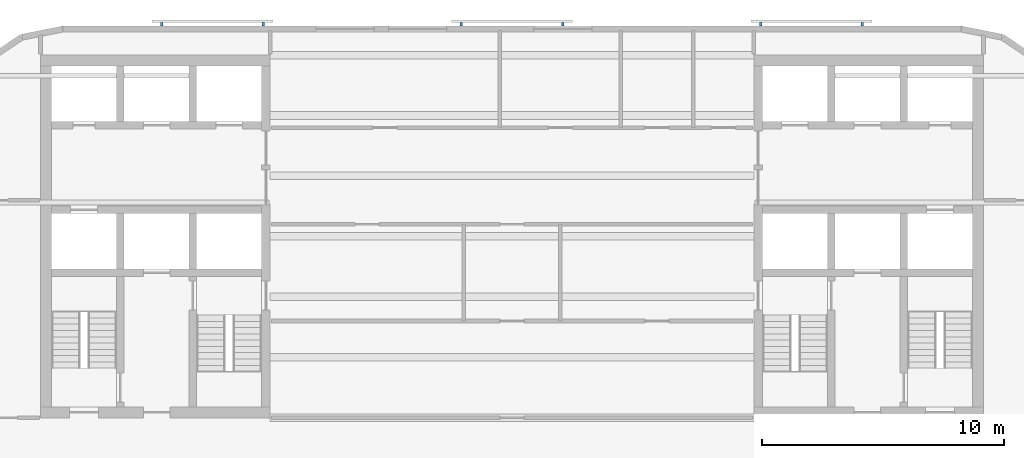
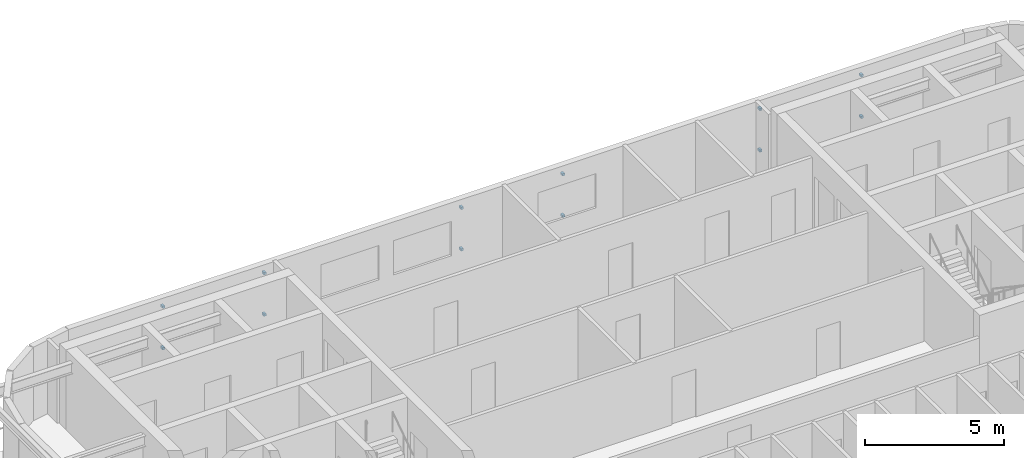
# One storey, part 8 of 11: 12 discrete accessories.
"""IFC4 building model written with IfcOpenShell, lengths in metres."""

import ifcopenshell
import ifcopenshell.guid

model = None  # the IFC model being written
_history = None  # IfcOwnerHistory: only IFC2X3 demands one
_inside = {}  # id of a spatial element -> (the spatial element, [elements in it])
_under = {}  # id of a project, library or spatial element -> (it, [spatial elements below it])
_declared = {}  # id of a project -> (the project, [libraries it declares])
_typed = {}  # id of a type object -> (the type object, [elements of that type])
_made_of = {}  # id of a material, layer set ... -> (it, [elements and type objects made of it])


def new_model(schema):
    """Start an empty IFC model of exactly this schema.

    Asked for "IFC4X3", IfcOpenShell would pick the latest addendum, in which some entities
    have other attributes; the version numbers below select the first issue.
    IFC2X3 requires an IfcOwnerHistory on every rooted entity: one is made here for all.
    """
    global model, _history
    if schema == "IFC4X3":
        model = ifcopenshell.file(schema_version=(4, 3, 0, 0))
    else:
        model = ifcopenshell.file(schema=schema)
    _inside.clear()
    _under.clear()
    _declared.clear()
    _typed.clear()
    _made_of.clear()
    _history = None
    if model.schema == "IFC2X3":
        org = make("IfcOrganization", Name="unknown")
        user = make(
            "IfcPersonAndOrganization",
            ThePerson=make("IfcPerson", FamilyName="unknown"),
            TheOrganization=org,
        )
        app = make(
            "IfcApplication",
            ApplicationDeveloper=org,
            Version="unknown",
            ApplicationFullName="unknown",
            ApplicationIdentifier="unknown",
        )
        _history = make(
            "IfcOwnerHistory",
            OwningUser=user,
            OwningApplication=app,
            ChangeAction="ADDED",
            CreationDate=0,
        )
    return model


def make(cls, **values):
    """One entity of the class cls with the attributes given. An attribute that is None is left unset."""
    return model.create_entity(
        cls, **{name: value for name, value in values.items() if value is not None}
    )


def rooted(cls, **values):
    """An entity with a GlobalId (a new one), such as an element, a storey or a relation."""
    return make(cls, GlobalId=ifcopenshell.guid.new(), OwnerHistory=_history, **values)


def si_unit(unit_type, name, prefix=None):
    """IfcSIUnit, for example si_unit("LENGTHUNIT", "METRE", prefix="MILLI")."""
    return make("IfcSIUnit", UnitType=unit_type, Prefix=prefix, Name=name)


def assignment(units):
    """IfcUnitAssignment: the units of a project."""
    return None if units is None else make("IfcUnitAssignment", Units=units)


def point(xyz):
    """IfcCartesianPoint."""
    return None if xyz is None else make("IfcCartesianPoint", Coordinates=xyz)


def direction(xyz):
    """IfcDirection."""
    return None if xyz is None else make("IfcDirection", DirectionRatios=xyz)


def frame(location, z_axis=None, x_axis=None):
    """IfcAxis2Placement3D, a coordinate frame: its origin and axes. An axis left out is left unset."""
    return make(
        "IfcAxis2Placement3D",
        Location=point(location),
        Axis=direction(z_axis),
        RefDirection=direction(x_axis),
    )


def frame_2d(location, x_axis=None):
    """IfcAxis2Placement2D, a coordinate frame in the plane: its origin and x axis."""
    return make(
        "IfcAxis2Placement2D", Location=point(location), RefDirection=direction(x_axis)
    )


def origin():
    """The frame at (0, 0, 0) with its axes left unset."""
    return frame((0.0, 0.0, 0.0))


def origin_2d():
    """The frame at (0, 0) in the plane with its x axis left unset."""
    return frame_2d((0.0, 0.0))


def place(relative_to, where):
    """IfcLocalPlacement: puts the frame where relative to a parent placement (None: the world)."""
    return make(
        "IfcLocalPlacement", PlacementRelTo=relative_to, RelativePlacement=where
    )


def context(
    kind, dimensions, precision=None, world=None, true_north=None, identifier=None
):
    """IfcGeometricRepresentationContext, for example the 3D "Model" context."""
    return make(
        "IfcGeometricRepresentationContext",
        ContextIdentifier=identifier,
        ContextType=kind,
        CoordinateSpaceDimension=dimensions,
        Precision=precision,
        WorldCoordinateSystem=world,
        TrueNorth=true_north,
    )


def subcontext(parent, identifier, kind, view, scale=None):
    """IfcGeometricRepresentationSubContext, for example "Body" below "Model"."""
    return make(
        "IfcGeometricRepresentationSubContext",
        ContextIdentifier=identifier,
        ContextType=kind,
        ParentContext=parent,
        TargetScale=scale,
        TargetView=view,
    )


def project(units=None, contexts=None):
    """IfcProject with its units and contexts."""
    return rooted(
        "IfcProject",
        Name="project",
        RepresentationContexts=contexts,
        UnitsInContext=assignment(units),
    )


def spatial(cls, under=None, at=None, **own):
    """A site, building, storey or space (cls), placed at a placement, below another one or the project."""
    s = rooted(cls, ObjectPlacement=at, **own)
    if under is not None:
        _under.setdefault(under.id(), (under, []))[1].append(s)
    return s


def profile(cls, at=None, kind="AREA", **sizes):
    """A parametric profile (cls). Its sizes go by their IFC names, for example OverallWidth=200.0."""
    return make(cls, ProfileType=kind, Position=at, **sizes)


def rectangle(**sizes):
    """IfcRectangleProfileDef."""
    return profile("IfcRectangleProfileDef", **sizes)


def extrude(swept, where, along, depth):
    """IfcExtrudedAreaSolid: the profile swept, set in the frame where, extruded along a direction by depth."""
    return make(
        "IfcExtrudedAreaSolid",
        SweptArea=swept,
        Position=where,
        ExtrudedDirection=direction(along),
        Depth=depth,
    )


def shape(context_of_items, identifier, shape_type, items):
    """IfcShapeRepresentation: the items that make up one representation, for example the "Body"."""
    return make(
        "IfcShapeRepresentation",
        ContextOfItems=context_of_items,
        RepresentationIdentifier=identifier,
        RepresentationType=shape_type,
        Items=items,
    )


def material(Name=None, Category=None):
    """IfcMaterial."""
    return make("IfcMaterial", Name=Name, Category=Category)


def made_of(thing, what):
    """Note that an element or type object is made of a material, layer set ...; save() writes the relation."""
    if what is not None:
        _made_of.setdefault(what.id(), (what, []))[1].append(thing)
    return thing


def type_object(cls, material=None, **own):
    """A type object (cls), such as IfcWallType, which elements share."""
    return made_of(rooted(cls, **own), material)


def element(
    cls,
    number,
    at=None,
    inside=None,
    cuts=None,
    type_object=None,
    material=None,
    context=None,
    identifier="Body",
    shape_type=None,
    held_by="IfcProductDefinitionShape",
    body=None,
    shapes=None,
    **own,
):
    """One element of the class cls, such as IfcWall. Its Tag is "e" and its number.

    at: its placement. inside: the storey or other place that contains it. cuts: it is an
    opening in that element (IfcRelVoidsElement). A single representation is given by context,
    identifier, shape_type and body (its items); several are given by shapes. held_by: the class
    of the entity that holds the representations. save() writes the other relations.
    """
    e = rooted(cls, Tag="e%d" % number, ObjectPlacement=at, **own)
    if body is not None:
        shapes = [shape(context, identifier, shape_type, body)]
    if shapes is not None:
        e.Representation = make(held_by, Representations=shapes)
    if inside is not None:
        _inside.setdefault(inside.id(), (inside, []))[1].append(e)
    if cuts is not None:
        rooted(
            "IfcRelVoidsElement", RelatingBuildingElement=cuts, RelatedOpeningElement=e
        )
    if type_object is not None:
        _typed.setdefault(type_object.id(), (type_object, []))[1].append(e)
    return made_of(e, material)


def aggregate(whole, parts):
    """IfcRelAggregates: a whole, such as a stair, and the parts it consists of."""
    return rooted("IfcRelAggregates", RelatingObject=whole, RelatedObjects=parts)


def save(model, path):
    """Write the relations noted so far, then the file.

    IfcRelAggregates (storeys below a building ...), IfcRelContainedInSpatialStructure (elements
    in a storey), IfcRelDefinesByType, IfcRelAssociatesMaterial and IfcRelDeclares: one each for
    every whole, place, type object, material and project.
    """
    for whole, parts in _under.values():
        aggregate(whole, parts)
    for where, things in _inside.values():
        rooted(
            "IfcRelContainedInSpatialStructure",
            RelatedElements=things,
            RelatingStructure=where,
        )
    for kind, things in _typed.values():
        rooted("IfcRelDefinesByType", RelatedObjects=things, RelatingType=kind)
    for what, things in _made_of.values():
        rooted("IfcRelAssociatesMaterial", RelatedObjects=things, RelatingMaterial=what)
    for by, libraries in _declared.values():
        rooted("IfcRelDeclares", RelatingContext=by, RelatedDefinitions=libraries)
    model.write(path)


model = new_model("IFC4")

# Units and contexts
model_context = context("Model", 3, precision=1e-05, world=origin(), true_north=direction((0.0, 1.0)))
body_context = subcontext(model_context, "Body", "Model", "MODEL_VIEW")
ifc_project = project(units=[si_unit("LENGTHUNIT", "METRE"), si_unit("AREAUNIT", "SQUARE_METRE"), si_unit("VOLUMEUNIT", "CUBIC_METRE"), si_unit("PLANEANGLEUNIT", "RADIAN"), si_unit("MASSUNIT", "GRAM", prefix="KILO")], contexts=[model_context])

# Site, building, storey
site_placement = place(None, origin())
site = spatial("IfcSite", under=ifc_project, at=site_placement, CompositionType="ELEMENT")
building_placement = place(site_placement, origin())
building = spatial("IfcBuilding", under=site, at=building_placement, Name="Torana Hotel and Residences", CompositionType="ELEMENT")
storey_placement = place(building_placement, frame((0.0, 0.0, 280.60009765625)))
storey = spatial("IfcBuildingStorey", under=building, at=storey_placement, Name="L74", CompositionType="ELEMENT", Elevation=280.60009765625)

# Discrete accessories
ifc_material = material(Name="Steel S355", Category="steel")
discrete_accessory_type = type_object("IfcDiscreteAccessoryType", Name="SCREEN BRACKET 100", PredefinedType="BRACKET", material=ifc_material)
for number, where, z_axis, x_axis, name in (
    (1, (14.483642578125, 1.27490234375, 0.749755859375), (0.0, 0.0, 1.0), (-1.0, 0.0, 0.0), "Screen bracket L74"),
    (2, (14.483642578125, 1.27490234375, 2.56982421875), (0.0, 0.0, 1.0), (-1.0, 0.0, 0.0), "Screen bracket L74"),
    (3, (10.28369140625, 1.27490234375, 0.749755859375), (0.0, 0.0, 1.0), (-1.0, 0.0, 0.0), "Screen bracket L74"),
    (4, (10.28369140625, 1.27490234375, 2.56982421875), (0.0, 0.0, 1.0), (-1.0, 0.0, 0.0), "Screen bracket L74"),
    (5, (2.10009765625, 1.27490234375, 0.749755859375), (0.0, 0.0, 1.0), (-1.0, 0.0, 0.0), "Screen bracket L74"),
    (6, (2.10009765625, 1.27490234375, 2.56982421875), (0.0, 0.0, 1.0), (-1.0, 0.0, 0.0), "Screen bracket L74"),
    (7, (-2.10009765625, 1.27490234375, 0.749755859375), (0.0, 0.0, 1.0), (-1.0, 0.0, 0.0), "Screen bracket L74"),
    (8, (-2.10009765625, 1.27490234375, 2.56982421875), (0.0, 0.0, 1.0), (-1.0, 0.0, 0.0), "Screen bracket L74"),
    (9, (-10.28369140625, 1.27490234375, 0.749755859375), (0.0, 0.0, 1.0), (-1.0, 0.0, 0.0), "Screen bracket L74"),
    (10, (-10.28369140625, 1.27490234375, 2.56982421875), (0.0, 0.0, 1.0), (-1.0, 0.0, 0.0), "Screen bracket L74"),
    (11, (-14.483642578125, 1.27490234375, 0.749755859375), (0.0, 0.0, 1.0), (-1.0, 0.0, 0.0), "Screen bracket L74"),
    (12, (-14.483642578125, 1.27490234375, 2.56982421875), (0.0, 0.0, 1.0), (-1.0, 0.0, 0.0), "Screen bracket L74"),
):
    element("IfcDiscreteAccessory", number, at=place(storey_placement, frame(where, z_axis=z_axis, x_axis=x_axis)), inside=storey, type_object=discrete_accessory_type, Name=name, PredefinedType="BRACKET", context=body_context, shape_type="SweptSolid", body=[
        extrude(rectangle(XDim=0.10009765625, YDim=0.14990234375, at=origin_2d()), origin(), (0.0, 0.0, 1.0), 0.10009765625),
    ])

save(model, "model.ifc")
